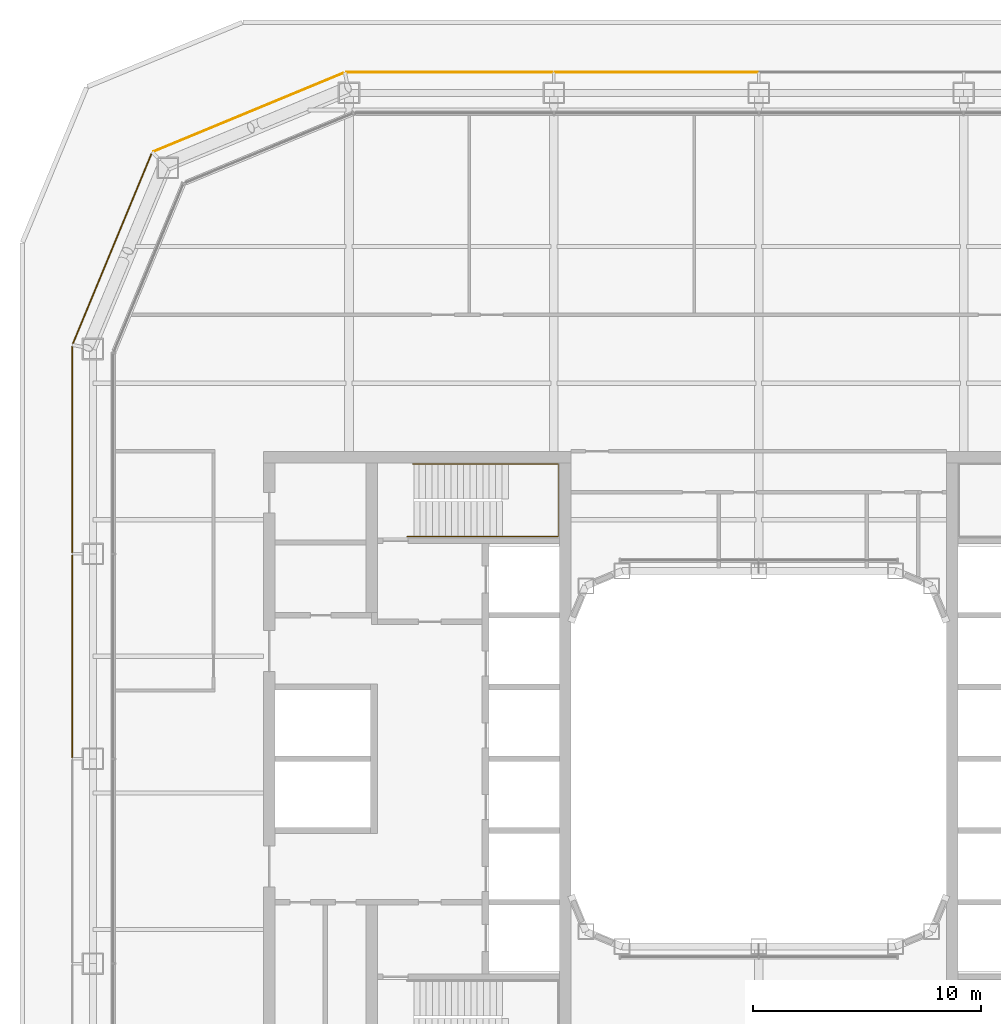
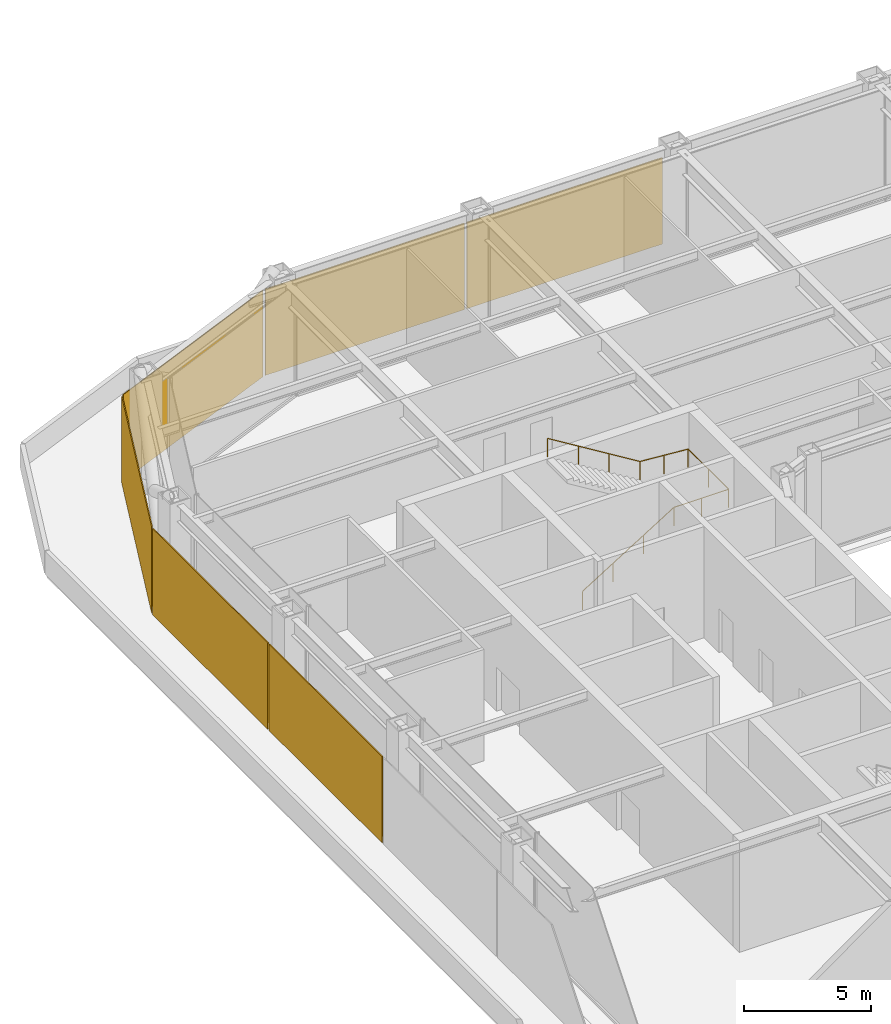
# One storey, part 19 of 21: 6 coverings, 1 railing.
"""IFC4 building model written with IfcOpenShell, lengths in metres."""

import ifcopenshell
import ifcopenshell.guid

model = None  # the IFC model being written
_history = None  # IfcOwnerHistory: only IFC2X3 demands one
_inside = {}  # id of a spatial element -> (the spatial element, [elements in it])
_under = {}  # id of a project, library or spatial element -> (it, [spatial elements below it])
_declared = {}  # id of a project -> (the project, [libraries it declares])
_typed = {}  # id of a type object -> (the type object, [elements of that type])
_made_of = {}  # id of a material, layer set ... -> (it, [elements and type objects made of it])


def new_model(schema):
    """Start an empty IFC model of exactly this schema.

    Asked for "IFC4X3", IfcOpenShell would pick the latest addendum, in which some entities
    have other attributes; the version numbers below select the first issue.
    IFC2X3 requires an IfcOwnerHistory on every rooted entity: one is made here for all.
    """
    global model, _history
    if schema == "IFC4X3":
        model = ifcopenshell.file(schema_version=(4, 3, 0, 0))
    else:
        model = ifcopenshell.file(schema=schema)
    _inside.clear()
    _under.clear()
    _declared.clear()
    _typed.clear()
    _made_of.clear()
    _history = None
    if model.schema == "IFC2X3":
        org = make("IfcOrganization", Name="unknown")
        user = make(
            "IfcPersonAndOrganization",
            ThePerson=make("IfcPerson", FamilyName="unknown"),
            TheOrganization=org,
        )
        app = make(
            "IfcApplication",
            ApplicationDeveloper=org,
            Version="unknown",
            ApplicationFullName="unknown",
            ApplicationIdentifier="unknown",
        )
        _history = make(
            "IfcOwnerHistory",
            OwningUser=user,
            OwningApplication=app,
            ChangeAction="ADDED",
            CreationDate=0,
        )
    return model


def make(cls, **values):
    """One entity of the class cls with the attributes given. An attribute that is None is left unset."""
    return model.create_entity(
        cls, **{name: value for name, value in values.items() if value is not None}
    )


def rooted(cls, **values):
    """An entity with a GlobalId (a new one), such as an element, a storey or a relation."""
    return make(cls, GlobalId=ifcopenshell.guid.new(), OwnerHistory=_history, **values)


def si_unit(unit_type, name, prefix=None):
    """IfcSIUnit, for example si_unit("LENGTHUNIT", "METRE", prefix="MILLI")."""
    return make("IfcSIUnit", UnitType=unit_type, Prefix=prefix, Name=name)


def assignment(units):
    """IfcUnitAssignment: the units of a project."""
    return None if units is None else make("IfcUnitAssignment", Units=units)


def point(xyz):
    """IfcCartesianPoint."""
    return None if xyz is None else make("IfcCartesianPoint", Coordinates=xyz)


def direction(xyz):
    """IfcDirection."""
    return None if xyz is None else make("IfcDirection", DirectionRatios=xyz)


def frame(location, z_axis=None, x_axis=None):
    """IfcAxis2Placement3D, a coordinate frame: its origin and axes. An axis left out is left unset."""
    return make(
        "IfcAxis2Placement3D",
        Location=point(location),
        Axis=direction(z_axis),
        RefDirection=direction(x_axis),
    )


def frame_2d(location, x_axis=None):
    """IfcAxis2Placement2D, a coordinate frame in the plane: its origin and x axis."""
    return make(
        "IfcAxis2Placement2D", Location=point(location), RefDirection=direction(x_axis)
    )


def origin():
    """The frame at (0, 0, 0) with its axes left unset."""
    return frame((0.0, 0.0, 0.0))


def origin_2d():
    """The frame at (0, 0) in the plane with its x axis left unset."""
    return frame_2d((0.0, 0.0))


def place(relative_to, where):
    """IfcLocalPlacement: puts the frame where relative to a parent placement (None: the world)."""
    return make(
        "IfcLocalPlacement", PlacementRelTo=relative_to, RelativePlacement=where
    )


def context(
    kind, dimensions, precision=None, world=None, true_north=None, identifier=None
):
    """IfcGeometricRepresentationContext, for example the 3D "Model" context."""
    return make(
        "IfcGeometricRepresentationContext",
        ContextIdentifier=identifier,
        ContextType=kind,
        CoordinateSpaceDimension=dimensions,
        Precision=precision,
        WorldCoordinateSystem=world,
        TrueNorth=true_north,
    )


def subcontext(parent, identifier, kind, view, scale=None):
    """IfcGeometricRepresentationSubContext, for example "Body" below "Model"."""
    return make(
        "IfcGeometricRepresentationSubContext",
        ContextIdentifier=identifier,
        ContextType=kind,
        ParentContext=parent,
        TargetScale=scale,
        TargetView=view,
    )


def project(units=None, contexts=None):
    """IfcProject with its units and contexts."""
    return rooted(
        "IfcProject",
        Name="project",
        RepresentationContexts=contexts,
        UnitsInContext=assignment(units),
    )


def spatial(cls, under=None, at=None, **own):
    """A site, building, storey or space (cls), placed at a placement, below another one or the project."""
    s = rooted(cls, ObjectPlacement=at, **own)
    if under is not None:
        _under.setdefault(under.id(), (under, []))[1].append(s)
    return s


def profile(cls, at=None, kind="AREA", **sizes):
    """A parametric profile (cls). Its sizes go by their IFC names, for example OverallWidth=200.0."""
    return make(cls, ProfileType=kind, Position=at, **sizes)


def rectangle(**sizes):
    """IfcRectangleProfileDef."""
    return profile("IfcRectangleProfileDef", **sizes)


def circle(**sizes):
    """IfcCircleProfileDef."""
    return profile("IfcCircleProfileDef", **sizes)


def extrude(swept, where, along, depth):
    """IfcExtrudedAreaSolid: the profile swept, set in the frame where, extruded along a direction by depth."""
    return make(
        "IfcExtrudedAreaSolid",
        SweptArea=swept,
        Position=where,
        ExtrudedDirection=direction(along),
        Depth=depth,
    )


def shape(context_of_items, identifier, shape_type, items):
    """IfcShapeRepresentation: the items that make up one representation, for example the "Body"."""
    return make(
        "IfcShapeRepresentation",
        ContextOfItems=context_of_items,
        RepresentationIdentifier=identifier,
        RepresentationType=shape_type,
        Items=items,
    )


def material(Name=None, Category=None):
    """IfcMaterial."""
    return make("IfcMaterial", Name=Name, Category=Category)


def layer(
    of_material, thickness, ventilated=None, Name=None, Category=None, Priority=None
):
    """IfcMaterialLayer: one layer of a wall or slab, of a material (None: an air gap)."""
    return make(
        "IfcMaterialLayer",
        Material=of_material,
        LayerThickness=thickness,
        IsVentilated=ventilated,
        Name=Name,
        Category=Category,
        Priority=Priority,
    )


def layer_set(layers, Name=None):
    """IfcMaterialLayerSet."""
    return make("IfcMaterialLayerSet", MaterialLayers=layers, LayerSetName=Name)


def made_of(thing, what):
    """Note that an element or type object is made of a material, layer set ...; save() writes the relation."""
    if what is not None:
        _made_of.setdefault(what.id(), (what, []))[1].append(thing)
    return thing


def type_object(cls, material=None, **own):
    """A type object (cls), such as IfcWallType, which elements share."""
    return made_of(rooted(cls, **own), material)


def element(
    cls,
    number,
    at=None,
    inside=None,
    cuts=None,
    type_object=None,
    material=None,
    context=None,
    identifier="Body",
    shape_type=None,
    held_by="IfcProductDefinitionShape",
    body=None,
    shapes=None,
    **own,
):
    """One element of the class cls, such as IfcWall. Its Tag is "e" and its number.

    at: its placement. inside: the storey or other place that contains it. cuts: it is an
    opening in that element (IfcRelVoidsElement). A single representation is given by context,
    identifier, shape_type and body (its items); several are given by shapes. held_by: the class
    of the entity that holds the representations. save() writes the other relations.
    """
    e = rooted(cls, Tag="e%d" % number, ObjectPlacement=at, **own)
    if body is not None:
        shapes = [shape(context, identifier, shape_type, body)]
    if shapes is not None:
        e.Representation = make(held_by, Representations=shapes)
    if inside is not None:
        _inside.setdefault(inside.id(), (inside, []))[1].append(e)
    if cuts is not None:
        rooted(
            "IfcRelVoidsElement", RelatingBuildingElement=cuts, RelatedOpeningElement=e
        )
    if type_object is not None:
        _typed.setdefault(type_object.id(), (type_object, []))[1].append(e)
    return made_of(e, material)


def aggregate(whole, parts):
    """IfcRelAggregates: a whole, such as a stair, and the parts it consists of."""
    return rooted("IfcRelAggregates", RelatingObject=whole, RelatedObjects=parts)


def save(model, path):
    """Write the relations noted so far, then the file.

    IfcRelAggregates (storeys below a building ...), IfcRelContainedInSpatialStructure (elements
    in a storey), IfcRelDefinesByType, IfcRelAssociatesMaterial and IfcRelDeclares: one each for
    every whole, place, type object, material and project.
    """
    for whole, parts in _under.values():
        aggregate(whole, parts)
    for where, things in _inside.values():
        rooted(
            "IfcRelContainedInSpatialStructure",
            RelatedElements=things,
            RelatingStructure=where,
        )
    for kind, things in _typed.values():
        rooted("IfcRelDefinesByType", RelatedObjects=things, RelatingType=kind)
    for what, things in _made_of.values():
        rooted("IfcRelAssociatesMaterial", RelatedObjects=things, RelatingMaterial=what)
    for by, libraries in _declared.values():
        rooted("IfcRelDeclares", RelatingContext=by, RelatedDefinitions=libraries)
    model.write(path)


model = new_model("IFC4")

# Units and contexts
model_context = context("Model", 3, precision=1e-05, world=origin(), true_north=direction((0.0, 1.0)))
body_context = subcontext(model_context, "Body", "Model", "MODEL_VIEW")
ifc_project = project(units=[si_unit("LENGTHUNIT", "METRE"), si_unit("AREAUNIT", "SQUARE_METRE"), si_unit("VOLUMEUNIT", "CUBIC_METRE"), si_unit("PLANEANGLEUNIT", "RADIAN"), si_unit("MASSUNIT", "GRAM", prefix="KILO")], contexts=[model_context])

# Site, building, storey
site_placement = place(None, origin())
site = spatial("IfcSite", under=ifc_project, at=site_placement, CompositionType="ELEMENT")
building_placement = place(site_placement, origin())
building = spatial("IfcBuilding", under=site, at=building_placement, Name="Siwar Civic Tower", CompositionType="ELEMENT")
storey_placement = place(building_placement, frame((0.0, 0.0, 99.199951171875)))
storey = spatial("IfcBuildingStorey", under=building, at=storey_placement, Name="L21", CompositionType="ELEMENT", Elevation=99.199951171875)

# Railing
ifc_material_1 = material(Name="Stainless steel", Category="steel")
railing_type = type_object("IfcRailingType", Name="CORE-STAIR-HANDRAIL", PredefinedType="HANDRAIL", material=ifc_material_1)
railing_placement = place(storey_placement, frame((-15.449951171875, 9.758056640625, 0.171875)))
element("IfcRailing", 1, at=railing_placement, inside=storey, type_object=railing_type, Name="Stair handrail ST1", PredefinedType="HANDRAIL", context=body_context, shape_type="SweptSolid", body=[
    extrude(circle(Radius=0.02001953125, at=origin_2d()), frame((0.0, 0.0, 0.8798828125), z_axis=(0.849426996612, 0.0, 0.527706146854), x_axis=(0.0, 1.0, 0.0)), (0.0, 0.0, 1.0), 4.885498046875),
    extrude(circle(Radius=0.02001953125, at=origin_2d()), frame((4.14990234375, 0.0, 3.4580078125), z_axis=(1.0, 0.0, 0.0), x_axis=(0.0, 1.0, 0.0)), (0.0, 0.0, 1.0), 2.491943359375),
    extrude(circle(Radius=0.02001953125, at=origin_2d()), frame((6.641845703125, 0.0, 3.4580078125), z_axis=(0.0, 1.0, 0.0), x_axis=(-1.0, 0.0, 0.0)), (0.0, 0.0, 1.0), 3.183837890625),
    extrude(circle(Radius=0.02001953125, at=origin_2d()), frame((6.641845703125, 3.183837890625, 3.4580078125), z_axis=(-0.996939735461, 0.0, 0.078173933367), x_axis=(0.0, -1.0, 0.0)), (0.0, 0.0, 1.0), 2.19873046875),
    extrude(circle(Radius=0.02001953125, at=origin_2d()), frame((4.449951171875, 3.183837890625, 3.6298828125), z_axis=(-0.852242915053, 0.0, 0.523146264196), x_axis=(0.0, -1.0, 0.0)), (0.0, 0.0, 1.0), 4.92822265625),
    extrude(circle(Radius=0.02001953125, at=origin_2d()), origin(), (0.0, 0.0, 1.0), 0.85986328125),
    extrude(circle(Radius=0.02001953125, at=origin_2d()), frame((1.38330078125, 0.0, 0.859375)), (0.0, 0.0, 1.0), 0.85986328125),
    extrude(circle(Radius=0.02001953125, at=origin_2d()), frame((2.7666015625, 0.0, 1.71875)), (0.0, 0.0, 1.0), 0.85986328125),
    extrude(circle(Radius=0.02001953125, at=origin_2d()), frame((4.14990234375, 0.0, 2.578125)), (0.0, 0.0, 1.0), 0.85986328125),
    extrude(circle(Radius=0.02001953125, at=origin_2d()), frame((5.39599609375, 0.0, 2.578125)), (0.0, 0.0, 1.0), 0.85986328125),
    extrude(circle(Radius=0.02001953125, at=origin_2d()), frame((6.641845703125, 0.0, 2.578125)), (0.0, 0.0, 1.0), 0.85986328125),
    extrude(circle(Radius=0.02001953125, at=origin_2d()), frame((6.641845703125, 1.591796875, 2.578125)), (0.0, 0.0, 1.0), 0.85986328125),
    extrude(circle(Radius=0.02001953125, at=origin_2d()), frame((6.641845703125, 3.183837890625, 2.578125)), (0.0, 0.0, 1.0), 0.85986328125),
    extrude(circle(Radius=0.02001953125, at=origin_2d()), frame((5.5458984375, 3.183837890625, 2.6640625)), (0.0, 0.0, 1.0), 0.85986328125),
    extrude(circle(Radius=0.02001953125, at=origin_2d()), frame((4.449951171875, 3.183837890625, 2.75)), (0.0, 0.0, 1.0), 0.85986328125),
    extrude(circle(Radius=0.02001953125, at=origin_2d()), frame((3.050048828125, 3.183837890625, 3.609375)), (0.0, 0.0, 1.0), 0.85986328125),
    extrude(circle(Radius=0.02001953125, at=origin_2d()), frame((1.64990234375, 3.183837890625, 4.46875)), (0.0, 0.0, 1.0), 0.85986328125),
    extrude(circle(Radius=0.02001953125, at=origin_2d()), frame((0.25, 3.183837890625, 5.328125)), (0.0, 0.0, 1.0), 0.85986328125),
])

# Coverings
ifc_material_2 = material(Name="Perforated aluminium cassette, pale metal", Category="aluminium")
ifc_layer_1 = layer(ifc_material_2, 0.0400390625)
ifc_layer_set_1 = layer_set([ifc_layer_1], Name="Perforated aluminium cassette, pale metal")
covering_type_1 = type_object("IfcCoveringType", Name="ENV-OUTER SKIN OS-1", PredefinedType="CLADDING", material=ifc_layer_set_1)
covering_1_placement = place(storey_placement, frame((-4.5, 30.14990234375, 0.0), z_axis=(0.0, 0.0, 1.0), x_axis=(-1.0, 0.0, 0.0)))
element("IfcCovering", 2, at=covering_1_placement, inside=storey, type_object=covering_type_1, Name="OUTER SKIN OS-1 N 3", PredefinedType="CLADDING", context=body_context, shape_type="SweptSolid", body=[
    extrude(rectangle(XDim=8.89990234375, YDim=0.0400390625, at=origin_2d()), origin(), (0.0, 0.0, 1.0), 4.14990234375),
])
covering_2_placement = place(storey_placement, frame((-13.57958984375, 30.14990234375, 0.0), z_axis=(0.0, 0.0, 1.0), x_axis=(-1.0, 0.0, 0.0)))
element("IfcCovering", 3, at=covering_2_placement, inside=storey, type_object=covering_type_1, Name="OUTER SKIN OS-1 N 4", PredefinedType="CLADDING", context=body_context, shape_type="SweptSolid", body=[
    extrude(rectangle(XDim=9.05908203125, YDim=0.0400390625, at=origin_2d()), origin(), (0.0, 0.0, 1.0), 4.14990234375),
])
covering_3_placement = place(storey_placement, frame((-22.411376953125, 28.39697265625, 0.0), z_axis=(0.0, 0.0, 1.0), x_axis=(-0.923879532511, -0.382683432365, 0.0)))
element("IfcCovering", 4, at=covering_3_placement, inside=storey, type_object=covering_type_1, Name="OUTER SKIN OS-1 NW1 1", PredefinedType="CLADDING", context=body_context, shape_type="SweptSolid", body=[
    extrude(rectangle(XDim=9.022216796875, YDim=0.0400390625, at=origin_2d()), origin(), (0.0, 0.0, 1.0), 4.14990234375),
])
ifc_material_3 = material(Name="Perforated aluminium cassette, pale metal", Category="aluminium")
ifc_layer_2 = layer(ifc_material_3, 0.044921875)
ifc_layer_set_2 = layer_set([ifc_layer_2], Name="Perforated aluminium cassette, pale metal")
covering_type_2 = type_object("IfcCoveringType", Name="ENV-OUTER SKIN OS-2", PredefinedType="CLADDING", material=ifc_layer_set_2)
covering_4_placement = place(storey_placement, frame((-28.39697265625, 22.411376953125, 0.0), z_axis=(0.0, 0.0, 1.0), x_axis=(-0.382683432365, -0.923879532511, 0.0)))
element("IfcCovering", 5, at=covering_4_placement, inside=storey, type_object=covering_type_2, Name="OUTER SKIN OS-2 NW2 1", PredefinedType="CLADDING", context=body_context, shape_type="SweptSolid", body=[
    extrude(rectangle(XDim=9.022216796875, YDim=0.044921875, at=origin_2d()), origin(), (0.0, 0.0, 1.0), 4.14990234375),
])
ifc_material_4 = material(Name="Perforated aluminium cassette, pale metal", Category="aluminium")
ifc_layer_3 = layer(ifc_material_4, 0.050048828125)
ifc_layer_set_3 = layer_set([ifc_layer_3], Name="Perforated aluminium cassette, pale metal")
covering_type_3 = type_object("IfcCoveringType", Name="ENV-OUTER SKIN OS-3", PredefinedType="CLADDING", material=ifc_layer_set_3)
covering_5_placement = place(storey_placement, frame((-30.14990234375, 13.57958984375, 0.0), z_axis=(0.0, 0.0, 1.0), x_axis=(0.0, -1.0, 0.0)))
element("IfcCovering", 6, at=covering_5_placement, inside=storey, type_object=covering_type_3, Name="OUTER SKIN OS-3 W 1", PredefinedType="CLADDING", context=body_context, shape_type="SweptSolid", body=[
    extrude(rectangle(XDim=9.05908203125, YDim=0.050048828125, at=origin_2d()), origin(), (0.0, 0.0, 1.0), 4.14990234375),
])
covering_6_placement = place(storey_placement, frame((-30.14990234375, 4.5, 0.0), z_axis=(0.0, 0.0, 1.0), x_axis=(0.0, -1.0, 0.0)))
element("IfcCovering", 7, at=covering_6_placement, inside=storey, type_object=covering_type_3, Name="OUTER SKIN OS-3 W 2", PredefinedType="CLADDING", context=body_context, shape_type="SweptSolid", body=[
    extrude(rectangle(XDim=8.89990234375, YDim=0.050048828125, at=origin_2d()), origin(), (0.0, 0.0, 1.0), 4.14990234375),
])

save(model, "model.ifc")
